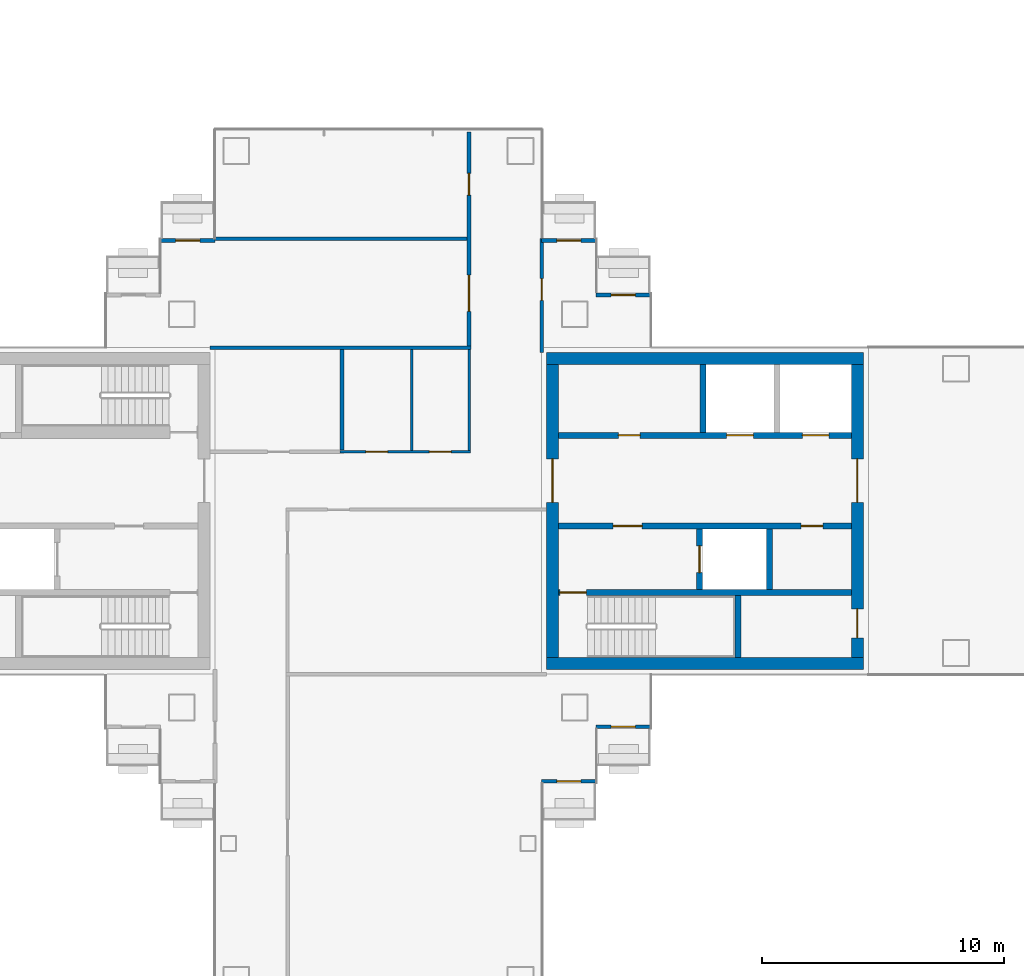
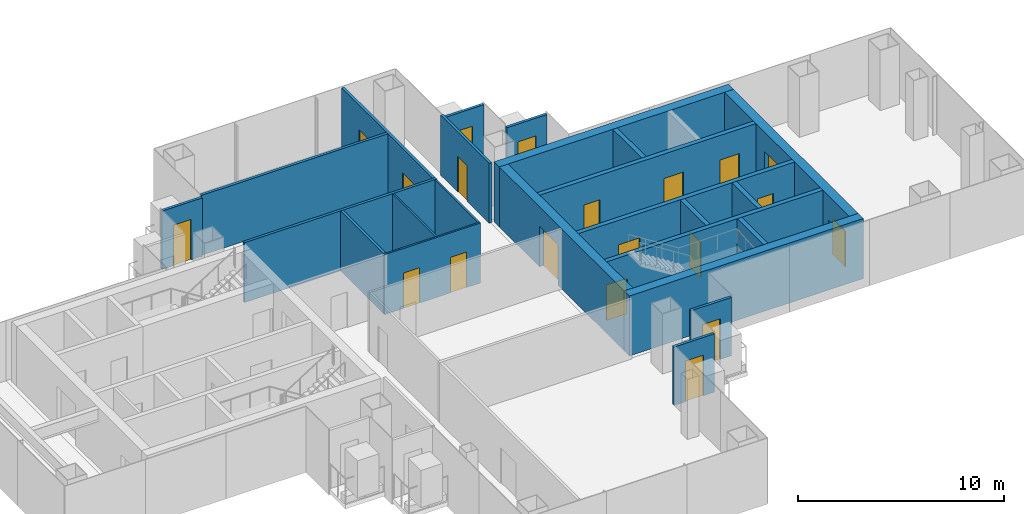
# One storey, part 10 of 16: 24 walls, 20 doors, 20 openings.
"""IFC4 building model written with IfcOpenShell, lengths in metres."""

from ifc_helpers import new_model, si_unit, direction, frame, frame_2d, origin, place, context, subcontext, project, spatial, rectangle, extrude, material, layer, layer_set, type_object, element, fill, save


model = new_model("IFC4")

# Units and contexts
model_context = context("Model", 3, precision=1e-05, world=origin(), true_north=direction((0.0, 1.0)))
body_context = subcontext(model_context, "Body", "Model", "MODEL_VIEW")
ifc_project = project(units=[si_unit("LENGTHUNIT", "METRE"), si_unit("AREAUNIT", "SQUARE_METRE"), si_unit("VOLUMEUNIT", "CUBIC_METRE"), si_unit("PLANEANGLEUNIT", "RADIAN"), si_unit("MASSUNIT", "GRAM", prefix="KILO")], contexts=[model_context])

# Site, building, storey
site_placement = place(None, origin())
site = spatial("IfcSite", under=ifc_project, at=site_placement, CompositionType="ELEMENT")
building_placement = place(site_placement, origin())
building = spatial("IfcBuilding", under=site, at=building_placement, Name="Shamsa Quay Exchange Towers", CompositionType="ELEMENT")
storey_placement = place(building_placement, frame((0.0, 0.0, 158.39990234375)))
storey = spatial("IfcBuildingStorey", under=building, at=storey_placement, Name="L37", CompositionType="ELEMENT", Elevation=158.39990234375)

# Wall, opening, door
ifc_material_1 = material(Name="Aluminium EN AW-6063 T6, black anodised, with black enamelled glass infill", Category="aluminium")
ifc_layer_1 = layer(ifc_material_1, 0.14990234375)
ifc_layer_set_1 = layer_set([ifc_layer_1], Name="BALCONY DOOR BAY WALL 150")
wall_type_1 = type_object("IfcWallType", Name="BALCONY DOOR BAY WALL 150", PredefinedType="SOLIDWALL", material=ifc_layer_set_1)
wall_1_placement = place(storey_placement, frame((-24.75, 8.925048828125, 0.0)))
wall_1 = element("IfcWall", 1, at=wall_1_placement, inside=storey, type_object=wall_type_1, Name="Door bay T1-PKEN L37", PredefinedType="SOLIDWALL", context=body_context, shape_type="SweptSolid", body=[
    extrude(rectangle(XDim=2.25, YDim=0.14990234375, at=frame_2d((1.125, 0.0))), origin(), (0.0, 0.0, 1.0), 3.4501953125),
])
opening_1_placement = place(wall_1_placement, frame((0.625, 0.0, 0.0)))
opening_1 = element("IfcOpeningElement", 2, at=opening_1_placement, cuts=wall_1, Name="Opening XD233", PredefinedType="OPENING", context=body_context, shape_type="SweptSolid", body=[
    extrude(rectangle(XDim=1.0, YDim=2.39990234375, at=frame_2d((0.5, 1.199951171875))), frame((0.0, 0.0849609375, 0.0), z_axis=(0.0, -1.0, 0.0), x_axis=(1.0, 0.0, 0.0)), (0.0, 0.0, 1.0), 0.169921875),
])
ifc_material_2 = material(Name="Aluminium EN AW-6063 T6, black anodised, with laminated glass leaf", Category="aluminium")
door_type_1 = type_object("IfcDoorType", Name="BALCONY DOOR 1000x2400", OperationType="SINGLE_SWING_LEFT", PredefinedType="DOOR", material=ifc_material_2)
door_1_placement = place(opening_1_placement, origin())
door_1 = element("IfcDoor", 3, at=door_1_placement, inside=storey, type_object=door_type_1, Name="Balcony door T1-PKEN L37", OperationType="SINGLE_SWING_RIGHT", OverallHeight=2.39990234375, OverallWidth=1.0, PredefinedType="DOOR", context=body_context, shape_type="SweptSolid", body=[
    extrude(rectangle(XDim=1.0, YDim=2.39990234375, at=frame_2d((0.5, 1.199951171875))), frame((0.0, 0.02490234375, 0.0), z_axis=(0.0, -1.0, 0.0), x_axis=(1.0, 0.0, 0.0)), (0.0, 0.0, 1.0), 0.050048828125),
])
fill(opening_1, door_1)

wall_2_placement = place(storey_placement, frame((-27.0, 11.175048828125, 0.0)))
wall_2 = element("IfcWall", 4, at=wall_2_placement, inside=storey, type_object=wall_type_1, Name="Door bay T1-PKEN L37", PredefinedType="SOLIDWALL", context=body_context, shape_type="SweptSolid", body=[
    extrude(rectangle(XDim=2.25, YDim=0.14990234375, at=frame_2d((1.125, 0.0))), origin(), (0.0, 0.0, 1.0), 3.4501953125),
])
opening_2_placement = place(wall_2_placement, frame((0.625, 0.0, 0.0)))
opening_2 = element("IfcOpeningElement", 5, at=opening_2_placement, cuts=wall_2, Name="Opening XD234", PredefinedType="OPENING", context=body_context, shape_type="SweptSolid", body=[
    extrude(rectangle(XDim=1.0, YDim=2.39990234375, at=frame_2d((0.5, 1.199951171875))), frame((0.0, 0.0849609375, 0.0), z_axis=(0.0, -1.0, 0.0), x_axis=(1.0, 0.0, 0.0)), (0.0, 0.0, 1.0), 0.169921875),
])
door_2_placement = place(opening_2_placement, origin())
door_2 = element("IfcDoor", 6, at=door_2_placement, inside=storey, type_object=door_type_1, Name="Balcony door T1-PKEN L37", OperationType="SINGLE_SWING_LEFT", OverallHeight=2.39990234375, OverallWidth=1.0, PredefinedType="DOOR", context=body_context, shape_type="SweptSolid", body=[
    extrude(rectangle(XDim=1.0, YDim=2.39990234375, at=frame_2d((0.5, 1.199951171875))), frame((0.0, 0.02490234375, 0.0), z_axis=(0.0, -1.0, 0.0), x_axis=(1.0, 0.0, 0.0)), (0.0, 0.0, 1.0), 0.050048828125),
])
fill(opening_2, door_2)

wall_3_placement = place(storey_placement, frame((-22.5, -8.925048828125, 0.0), z_axis=(0.0, 0.0, 1.0), x_axis=(-1.0, 0.0, 0.0)))
wall_3 = element("IfcWall", 7, at=wall_3_placement, inside=storey, type_object=wall_type_1, Name="Door bay T1-PKES L37", PredefinedType="SOLIDWALL", context=body_context, shape_type="SweptSolid", body=[
    extrude(rectangle(XDim=2.25, YDim=0.14990234375, at=frame_2d((1.125, 0.0))), origin(), (0.0, 0.0, 1.0), 3.4501953125),
])
opening_3_placement = place(wall_3_placement, frame((0.625, 0.0, 0.0)))
opening_3 = element("IfcOpeningElement", 8, at=opening_3_placement, cuts=wall_3, Name="Opening XD235", PredefinedType="OPENING", context=body_context, shape_type="SweptSolid", body=[
    extrude(rectangle(XDim=1.0, YDim=2.39990234375, at=frame_2d((0.5, 1.199951171875))), frame((0.0, 0.0849609375, 0.0), z_axis=(0.0, -1.0, 0.0), x_axis=(1.0, 0.0, 0.0)), (0.0, 0.0, 1.0), 0.169921875),
])
door_3_placement = place(opening_3_placement, origin())
door_3 = element("IfcDoor", 9, at=door_3_placement, inside=storey, type_object=door_type_1, Name="Balcony door T1-PKES L37", OperationType="SINGLE_SWING_RIGHT", OverallHeight=2.39990234375, OverallWidth=1.0, PredefinedType="DOOR", context=body_context, shape_type="SweptSolid", body=[
    extrude(rectangle(XDim=1.0, YDim=2.39990234375, at=frame_2d((0.5, 1.199951171875))), frame((0.0, 0.02490234375, 0.0), z_axis=(0.0, -1.0, 0.0), x_axis=(1.0, 0.0, 0.0)), (0.0, 0.0, 1.0), 0.050048828125),
])
fill(opening_3, door_3)

wall_4_placement = place(storey_placement, frame((-24.75, -11.175048828125, 0.0), z_axis=(0.0, 0.0, 1.0), x_axis=(-1.0, 0.0, 0.0)))
wall_4 = element("IfcWall", 10, at=wall_4_placement, inside=storey, type_object=wall_type_1, Name="Door bay T1-PKES L37", PredefinedType="SOLIDWALL", context=body_context, shape_type="SweptSolid", body=[
    extrude(rectangle(XDim=2.25, YDim=0.14990234375, at=frame_2d((1.125, 0.0))), origin(), (0.0, 0.0, 1.0), 3.4501953125),
])
opening_4_placement = place(wall_4_placement, frame((0.625, 0.0, 0.0)))
opening_4 = element("IfcOpeningElement", 11, at=opening_4_placement, cuts=wall_4, Name="Opening XD236", PredefinedType="OPENING", context=body_context, shape_type="SweptSolid", body=[
    extrude(rectangle(XDim=1.0, YDim=2.39990234375, at=frame_2d((0.5, 1.199951171875))), frame((0.0, 0.0849609375, 0.0), z_axis=(0.0, -1.0, 0.0), x_axis=(1.0, 0.0, 0.0)), (0.0, 0.0, 1.0), 0.169921875),
])
door_4_placement = place(opening_4_placement, origin())
door_4 = element("IfcDoor", 12, at=door_4_placement, inside=storey, type_object=door_type_1, Name="Balcony door T1-PKES L37", OperationType="SINGLE_SWING_LEFT", OverallHeight=2.39990234375, OverallWidth=1.0, PredefinedType="DOOR", context=body_context, shape_type="SweptSolid", body=[
    extrude(rectangle(XDim=1.0, YDim=2.39990234375, at=frame_2d((0.5, 1.199951171875))), frame((0.0, 0.02490234375, 0.0), z_axis=(0.0, -1.0, 0.0), x_axis=(1.0, 0.0, 0.0)), (0.0, 0.0, 1.0), 0.050048828125),
])
fill(opening_4, door_4)

wall_5_placement = place(storey_placement, frame((-42.75, 11.175048828125, 0.0)))
wall_5 = element("IfcWall", 13, at=wall_5_placement, inside=storey, type_object=wall_type_1, Name="Door bay T1-PKWN L37", PredefinedType="SOLIDWALL", context=body_context, shape_type="SweptSolid", body=[
    extrude(rectangle(XDim=2.25, YDim=0.14990234375, at=frame_2d((1.125, 0.0))), origin(), (0.0, 0.0, 1.0), 3.4501953125),
])
opening_5_placement = place(wall_5_placement, frame((0.625, 0.0, 0.0)))
opening_5 = element("IfcOpeningElement", 14, at=opening_5_placement, cuts=wall_5, Name="Opening XD237", PredefinedType="OPENING", context=body_context, shape_type="SweptSolid", body=[
    extrude(rectangle(XDim=1.0, YDim=2.39990234375, at=frame_2d((0.5, 1.199951171875))), frame((0.0, 0.0849609375, 0.0), z_axis=(0.0, -1.0, 0.0), x_axis=(1.0, 0.0, 0.0)), (0.0, 0.0, 1.0), 0.169921875),
])
door_5_placement = place(opening_5_placement, origin())
door_5 = element("IfcDoor", 15, at=door_5_placement, inside=storey, type_object=door_type_1, Name="Balcony door T1-PKWN L37", OperationType="SINGLE_SWING_LEFT", OverallHeight=2.39990234375, OverallWidth=1.0, PredefinedType="DOOR", context=body_context, shape_type="SweptSolid", body=[
    extrude(rectangle(XDim=1.0, YDim=2.39990234375, at=frame_2d((0.5, 1.199951171875))), frame((0.0, 0.02490234375, 0.0), z_axis=(0.0, -1.0, 0.0), x_axis=(1.0, 0.0, 0.0)), (0.0, 0.0, 1.0), 0.050048828125),
])
fill(opening_5, door_5)

# Walls
ifc_material_3 = material(Name="Concrete C60/75", Category="concrete")
ifc_layer_2 = layer(ifc_material_3, 0.5)
ifc_layer_set_2 = layer_set([ifc_layer_2], Name="CORE WALL 500 C60/75")
wall_type_2 = type_object("IfcWallType", Name="CORE WALL 500 C60/75", PredefinedType="SHEAR", material=ifc_layer_set_2)
for number, where, name in (
    (16, (-26.800048828125, -6.300048828125, 0.0), "Core wall T1A-R17-PS"),
    (17, (-26.800048828125, 6.300048828125, 0.0), "Core wall T1A-R17-PN"),
):
    element("IfcWall", number, at=place(storey_placement, frame(where)), inside=storey, type_object=wall_type_2, Name=name, PredefinedType="SHEAR", context=body_context, shape_type="SweptSolid", body=[
        extrude(rectangle(XDim=13.10009765625, YDim=0.5, at=frame_2d((6.550048828125, 0.0))), origin(), (0.0, 0.0, 1.0), 3.550048828125),
    ])

# Wall, opening, door
wall_6_placement = place(storey_placement, frame((-26.550048828125, 6.050048828125, 0.0), z_axis=(0.0, 0.0, 1.0), x_axis=(0.0, -1.0, 0.0)))
wall_6 = element("IfcWall", 18, at=wall_6_placement, inside=storey, type_object=wall_type_2, Name="Core wall T1A-R17-PF", PredefinedType="SHEAR", context=body_context, shape_type="SweptSolid", body=[
    extrude(rectangle(XDim=12.10009765625, YDim=0.5, at=frame_2d((6.050048828125, 0.0))), origin(), (0.0, 0.0, 1.0), 3.550048828125),
])
opening_6_placement = place(wall_6_placement, frame((3.89990234375, 0.0, 0.0)))
opening_6 = element("IfcOpeningElement", 19, at=opening_6_placement, cuts=wall_6, Name="Opening T1A-R17-LBD01", PredefinedType="OPENING", context=body_context, shape_type="SweptSolid", body=[
    extrude(rectangle(XDim=1.800048828125, YDim=2.39990234375, at=frame_2d((0.89990234375, 1.199951171875))), frame((0.0, 0.260009765625, 0.0), z_axis=(0.0, -1.0, 0.0), x_axis=(1.0, 0.0, 0.0)), (0.0, 0.0, 1.0), 0.52001953125),
])
ifc_material_4 = material(Name="Steel, fire rated", Category="steel")
door_type_2 = type_object("IfcDoorType", Name="LIFT LOBBY DOOR PAIR 1800", OperationType="DOUBLE_DOOR_SINGLE_SWING", PredefinedType="DOOR", material=ifc_material_4)
door_6_placement = place(opening_6_placement, origin())
door_6 = element("IfcDoor", 20, at=door_6_placement, inside=storey, type_object=door_type_2, Name="T1A-R17-LBD01", OperationType="DOUBLE_DOOR_SINGLE_SWING", OverallHeight=2.39990234375, OverallWidth=1.800048828125, PredefinedType="DOOR", context=body_context, shape_type="SweptSolid", body=[
    extrude(rectangle(XDim=1.800048828125, YDim=2.39990234375, at=frame_2d((0.89990234375, 1.199951171875))), frame((0.0, 0.02490234375, 0.0), z_axis=(0.0, -1.0, 0.0), x_axis=(1.0, 0.0, 0.0)), (0.0, 0.0, 1.0), 0.050048828125),
])
fill(opening_6, door_6)

# Wall, openings, doors
wall_7_placement = place(storey_placement, frame((-13.949951171875, 6.050048828125, 0.0), z_axis=(0.0, 0.0, 1.0), x_axis=(0.0, -1.0, 0.0)))
wall_7 = element("IfcWall", 21, at=wall_7_placement, inside=storey, type_object=wall_type_2, Name="Core wall T1A-R17-PB", PredefinedType="SHEAR", context=body_context, shape_type="SweptSolid", body=[
    extrude(rectangle(XDim=12.10009765625, YDim=0.5, at=frame_2d((6.050048828125, 0.0))), origin(), (0.0, 0.0, 1.0), 3.550048828125),
])
opening_7_placement = place(wall_7_placement, frame((10.10009765625, 0.0, 0.0)))
opening_7 = element("IfcOpeningElement", 22, at=opening_7_placement, cuts=wall_7, Name="Opening T1A-R17-RD02", PredefinedType="OPENING", context=body_context, shape_type="SweptSolid", body=[
    extrude(rectangle(XDim=1.199951171875, YDim=2.10009765625, at=frame_2d((0.60009765625, 1.050048828125))), frame((0.0, 0.260009765625, 0.0), z_axis=(0.0, -1.0, 0.0), x_axis=(1.0, 0.0, 0.0)), (0.0, 0.0, 1.0), 0.52001953125),
])
opening_8_placement = place(wall_7_placement, frame((3.89990234375, 0.0, 0.0)))
opening_8 = element("IfcOpeningElement", 23, at=opening_8_placement, cuts=wall_7, Name="Opening T1A-R17-LBD03", PredefinedType="OPENING", context=body_context, shape_type="SweptSolid", body=[
    extrude(rectangle(XDim=1.800048828125, YDim=2.39990234375, at=frame_2d((0.89990234375, 1.199951171875))), frame((0.0, 0.260009765625, 0.0), z_axis=(0.0, -1.0, 0.0), x_axis=(1.0, 0.0, 0.0)), (0.0, 0.0, 1.0), 0.52001953125),
])
door_7_placement = place(opening_8_placement, origin())
door_7 = element("IfcDoor", 24, at=door_7_placement, inside=storey, type_object=door_type_2, Name="T1A-R17-LBD03", OperationType="DOUBLE_DOOR_SINGLE_SWING", OverallHeight=2.39990234375, OverallWidth=1.800048828125, PredefinedType="DOOR", context=body_context, shape_type="SweptSolid", body=[
    extrude(rectangle(XDim=1.800048828125, YDim=2.39990234375, at=frame_2d((0.89990234375, 1.199951171875))), frame((0.0, 0.02490234375, 0.0), z_axis=(0.0, -1.0, 0.0), x_axis=(1.0, 0.0, 0.0)), (0.0, 0.0, 1.0), 0.050048828125),
])
fill(opening_8, door_7)
door_type_3 = type_object("IfcDoorType", Name="RISER ACCESS DOOR 1200", OperationType="SINGLE_SWING_LEFT", PredefinedType="DOOR", material=ifc_material_4)
door_8_placement = place(opening_7_placement, origin())
door_8 = element("IfcDoor", 25, at=door_8_placement, inside=storey, type_object=door_type_3, Name="T1A-R17-RD02", OperationType="SINGLE_SWING_RIGHT", OverallHeight=2.10009765625, OverallWidth=1.199951171875, PredefinedType="DOOR", context=body_context, shape_type="SweptSolid", body=[
    extrude(rectangle(XDim=1.199951171875, YDim=2.10009765625, at=frame_2d((0.60009765625, 1.050048828125))), frame((0.0, 0.02490234375, 0.0), z_axis=(0.0, -1.0, 0.0), x_axis=(1.0, 0.0, 0.0)), (0.0, 0.0, 1.0), 0.050048828125),
])
fill(opening_7, door_8)

ifc_material_5 = material(Name="Gypsum board partition on metal studs")
ifc_layer_3 = layer(ifc_material_5, 0.10009765625)
ifc_layer_set_3 = layer_set([ifc_layer_3], Name="Partition 100 mm NOT RATED")
wall_type_3 = type_object("IfcWallType", Name="Partition 100 mm NOT RATED", PredefinedType="PARTITIONING", material=ifc_layer_set_3)
wall_8_placement = place(storey_placement, frame((-35.324951171875, 2.4501953125, 0.0)))
wall_8 = element("IfcWall", 26, at=wall_8_placement, inside=storey, type_object=wall_type_3, Name="Partition T1-R17-W03", PredefinedType="PARTITIONING", context=body_context, shape_type="SweptSolid", body=[
    extrude(rectangle(XDim=5.375, YDim=0.10009765625, at=frame_2d((2.6875, 0.0))), origin(), (0.0, 0.0, 1.0), 3.550048828125),
])
opening_9_placement = place(wall_8_placement, frame((1.0625, 0.0, 0.0)))
opening_9 = element("IfcOpeningElement", 27, at=opening_9_placement, cuts=wall_8, Name="Opening T1-R17-D06", PredefinedType="OPENING", context=body_context, shape_type="SweptSolid", body=[
    extrude(rectangle(XDim=0.89990234375, YDim=2.10009765625, at=frame_2d((0.449951171875, 1.050048828125))), frame((0.0, 0.06005859375, 0.0), z_axis=(0.0, -1.0, 0.0), x_axis=(1.0, 0.0, 0.0)), (0.0, 0.0, 1.0), 0.1201171875),
])
opening_10_placement = place(wall_8_placement, frame((3.6875, 0.0, 0.0)))
opening_10 = element("IfcOpeningElement", 28, at=opening_10_placement, cuts=wall_8, Name="Opening T1-R17-D07", PredefinedType="OPENING", context=body_context, shape_type="SweptSolid", body=[
    extrude(rectangle(XDim=0.89990234375, YDim=2.10009765625, at=frame_2d((0.449951171875, 1.050048828125))), frame((0.0, 0.06005859375, 0.0), z_axis=(0.0, -1.0, 0.0), x_axis=(1.0, 0.0, 0.0)), (0.0, 0.0, 1.0), 0.1201171875),
])
ifc_material_6 = material(Name="Timber door leaf in a metal frame", Category="wood")
door_type_4 = type_object("IfcDoorType", Name="Door 900x2100 NOT RATED", OperationType="NOTDEFINED", PredefinedType="DOOR", material=ifc_material_6)
door_9_placement = place(opening_9_placement, origin())
door_9 = element("IfcDoor", 29, at=door_9_placement, inside=storey, type_object=door_type_4, Name="Door T1-R17-D06", OperationType="SINGLE_SWING_LEFT", OverallHeight=2.10009765625, OverallWidth=0.89990234375, PredefinedType="DOOR", context=body_context, shape_type="SweptSolid", body=[
    extrude(rectangle(XDim=0.89990234375, YDim=2.10009765625, at=frame_2d((0.449951171875, 1.050048828125))), frame((0.0, 0.02490234375, 0.0), z_axis=(0.0, -1.0, 0.0), x_axis=(1.0, 0.0, 0.0)), (0.0, 0.0, 1.0), 0.050048828125),
])
fill(opening_9, door_9)
door_10_placement = place(opening_10_placement, origin())
door_10 = element("IfcDoor", 30, at=door_10_placement, inside=storey, type_object=door_type_4, Name="Door T1-R17-D07", OperationType="SINGLE_SWING_LEFT", OverallHeight=2.10009765625, OverallWidth=0.89990234375, PredefinedType="DOOR", context=body_context, shape_type="SweptSolid", body=[
    extrude(rectangle(XDim=0.89990234375, YDim=2.10009765625, at=frame_2d((0.449951171875, 1.050048828125))), frame((0.0, 0.02490234375, 0.0), z_axis=(0.0, -1.0, 0.0), x_axis=(1.0, 0.0, 0.0)), (0.0, 0.0, 1.0), 0.050048828125),
])
fill(opening_10, door_10)

# Walls
for number, where, z_axis, x_axis, name in (
    (31, (-30.0, 2.500244140625, 0.0), (0.0, 0.0, 1.0), (0.0, 1.0, 0.0), "Partition T1-R17-W04"),
    (32, (-32.375, 2.500244140625, 0.0), (0.0, 0.0, 1.0), (0.0, 1.0, 0.0), "Partition T1-R17-W13"),
):
    element("IfcWall", number, at=place(storey_placement, frame(where, z_axis=z_axis, x_axis=x_axis)), inside=storey, type_object=wall_type_3, Name=name, PredefinedType="PARTITIONING", context=body_context, shape_type="SweptSolid", body=[
        extrude(rectangle(XDim=4.1748046875, YDim=0.10009765625, at=frame_2d((2.08740234375, 0.0))), origin(), (0.0, 0.0, 1.0), 3.550048828125),
    ])

# Wall, openings, doors
ifc_layer_4 = layer(ifc_material_5, 0.14990234375)
ifc_layer_set_4 = layer_set([ifc_layer_4], Name="Partition 150 mm EI 60")
wall_type_4 = type_object("IfcWallType", Name="Partition 150 mm EI 60", PredefinedType="PARTITIONING", material=ifc_layer_set_4)
wall_9_placement = place(storey_placement, frame((-30.0, 6.824951171875, 0.0), z_axis=(0.0, 0.0, 1.0), x_axis=(0.0, 1.0, 0.0)))
wall_9 = element("IfcWall", 33, at=wall_9_placement, inside=storey, type_object=wall_type_4, Name="Partition T1-R17-W01", PredefinedType="PARTITIONING", context=body_context, shape_type="SweptSolid", body=[
    extrude(rectangle(XDim=8.830078125, YDim=0.14990234375, at=frame_2d((4.4150390625, 0.0))), origin(), (0.0, 0.0, 1.0), 3.550048828125),
])
opening_11_placement = place(wall_9_placement, frame((1.425048828125, 0.0, 0.0)))
opening_11 = element("IfcOpeningElement", 34, at=opening_11_placement, cuts=wall_9, Name="Opening T1-R17-D08", PredefinedType="OPENING", context=body_context, shape_type="SweptSolid", body=[
    extrude(rectangle(XDim=1.5, YDim=2.10009765625, at=frame_2d((0.75, 1.050048828125))), frame((0.0, 0.0849609375, 0.0), z_axis=(0.0, -1.0, 0.0), x_axis=(1.0, 0.0, 0.0)), (0.0, 0.0, 1.0), 0.169921875),
])
opening_12_placement = place(wall_9_placement, frame((6.22509765625, 0.0, 0.0)))
opening_12 = element("IfcOpeningElement", 35, at=opening_12_placement, cuts=wall_9, Name="Opening T1-R17-D09", PredefinedType="OPENING", context=body_context, shape_type="SweptSolid", body=[
    extrude(rectangle(XDim=0.89990234375, YDim=2.10009765625, at=frame_2d((0.449951171875, 1.050048828125))), frame((0.0, 0.0849609375, 0.0), z_axis=(0.0, -1.0, 0.0), x_axis=(1.0, 0.0, 0.0)), (0.0, 0.0, 1.0), 0.169921875),
])
door_type_5 = type_object("IfcDoorType", Name="Door 1500x2100 FD30S pair", OperationType="NOTDEFINED", PredefinedType="DOOR", material=ifc_material_6)
door_11_placement = place(opening_11_placement, origin())
door_11 = element("IfcDoor", 36, at=door_11_placement, inside=storey, type_object=door_type_5, Name="Door T1-R17-D08", OperationType="DOUBLE_DOOR_SINGLE_SWING", OverallHeight=2.10009765625, OverallWidth=1.5, PredefinedType="DOOR", context=body_context, shape_type="SweptSolid", body=[
    extrude(rectangle(XDim=1.5, YDim=2.10009765625, at=frame_2d((0.75, 1.050048828125))), frame((0.0, 0.02490234375, 0.0), z_axis=(0.0, -1.0, 0.0), x_axis=(1.0, 0.0, 0.0)), (0.0, 0.0, 1.0), 0.050048828125),
])
fill(opening_11, door_11)
door_type_6 = type_object("IfcDoorType", Name="Door 900x2100 FD30S", OperationType="NOTDEFINED", PredefinedType="DOOR", material=ifc_material_6)
door_12_placement = place(opening_12_placement, origin())
door_12 = element("IfcDoor", 37, at=door_12_placement, inside=storey, type_object=door_type_6, Name="Door T1-R17-D09", OperationType="SINGLE_SWING_RIGHT", OverallHeight=2.10009765625, OverallWidth=0.89990234375, PredefinedType="DOOR", context=body_context, shape_type="SweptSolid", body=[
    extrude(rectangle(XDim=0.89990234375, YDim=2.10009765625, at=frame_2d((0.449951171875, 1.050048828125))), frame((0.0, 0.02490234375, 0.0), z_axis=(0.0, -1.0, 0.0), x_axis=(1.0, 0.0, 0.0)), (0.0, 0.0, 1.0), 0.050048828125),
])
fill(opening_12, door_12)

# Wall, opening, door
wall_10_placement = place(storey_placement, frame((-27.0, 11.25, 0.0), z_axis=(0.0, 0.0, 1.0), x_axis=(0.0, -1.0, 0.0)))
wall_10 = element("IfcWall", 38, at=wall_10_placement, inside=storey, type_object=wall_type_4, Name="Partition T1-R17-W09", PredefinedType="PARTITIONING", context=body_context, shape_type="SweptSolid", body=[
    extrude(rectangle(XDim=4.699951171875, YDim=0.14990234375, at=frame_2d((2.35009765625, 0.0))), origin(), (0.0, 0.0, 1.0), 3.550048828125),
])
opening_13_placement = place(wall_10_placement, frame((1.64990234375, 0.0, 0.0)))
opening_13 = element("IfcOpeningElement", 39, at=opening_13_placement, cuts=wall_10, Name="Opening T1-R17-D10", PredefinedType="OPENING", context=body_context, shape_type="SweptSolid", body=[
    extrude(rectangle(XDim=0.89990234375, YDim=2.10009765625, at=frame_2d((0.449951171875, 1.050048828125))), frame((0.0, 0.0849609375, 0.0), z_axis=(0.0, -1.0, 0.0), x_axis=(1.0, 0.0, 0.0)), (0.0, 0.0, 1.0), 0.169921875),
])
door_13_placement = place(opening_13_placement, origin())
door_13 = element("IfcDoor", 40, at=door_13_placement, inside=storey, type_object=door_type_6, Name="Door T1-R17-D10", OperationType="SINGLE_SWING_LEFT", OverallHeight=2.10009765625, OverallWidth=0.89990234375, PredefinedType="DOOR", context=body_context, shape_type="SweptSolid", body=[
    extrude(rectangle(XDim=0.89990234375, YDim=2.10009765625, at=frame_2d((0.449951171875, 1.050048828125))), frame((0.0, 0.02490234375, 0.0), z_axis=(0.0, -1.0, 0.0), x_axis=(1.0, 0.0, 0.0)), (0.0, 0.0, 1.0), 0.050048828125),
])
fill(opening_13, door_13)

# Walls
wall_11_placement = place(storey_placement, frame((-30.074951171875, 11.25, 0.0), z_axis=(0.0, 0.0, 1.0), x_axis=(-1.0, 0.0, 0.0)))
element("IfcWall", 41, at=wall_11_placement, inside=storey, type_object=wall_type_4, Name="Partition T1-R17-W10", PredefinedType="PARTITIONING", context=body_context, shape_type="SweptSolid", body=[
    extrude(rectangle(XDim=10.425048828125, YDim=0.14990234375, at=frame_2d((5.21240234375, 0.0))), origin(), (0.0, 0.0, 1.0), 3.550048828125),
])
wall_12_placement = place(storey_placement, frame((-40.699951171875, 6.75, 0.0)))
element("IfcWall", 42, at=wall_12_placement, inside=storey, type_object=wall_type_4, Name="Partition T1-R17-W11", PredefinedType="PARTITIONING", context=body_context, shape_type="SweptSolid", body=[
    extrude(rectangle(XDim=10.77490234375, YDim=0.14990234375, at=frame_2d((5.387451171875, 0.0))), origin(), (0.0, 0.0, 1.0), 3.550048828125),
])
wall_13_placement = place(storey_placement, frame((-35.25, 2.525146484375, 0.0), z_axis=(0.0, 0.0, 1.0), x_axis=(0.0, 1.0, 0.0)))
element("IfcWall", 43, at=wall_13_placement, inside=storey, type_object=wall_type_4, Name="Partition T1-R17-W12", PredefinedType="PARTITIONING", context=body_context, shape_type="SweptSolid", body=[
    extrude(rectangle(XDim=4.14990234375, YDim=0.14990234375, at=frame_2d((2.074951171875, 0.0))), origin(), (0.0, 0.0, 1.0), 3.550048828125),
])

# Wall, opening, door
ifc_material_7 = material(Name="Concrete C50/60", Category="concrete")
ifc_layer_5 = layer(ifc_material_7, 0.25)
ifc_layer_set_5 = layer_set([ifc_layer_5], Name="SHAFT WALL 250 C50/60")
wall_type_5 = type_object("IfcWallType", Name="SHAFT WALL 250 C50/60", PredefinedType="SHEAR", material=ifc_layer_set_5)
wall_14_placement = place(storey_placement, frame((-14.199951171875, -3.375, 0.0), z_axis=(0.0, 0.0, 1.0), x_axis=(-1.0, 0.0, 0.0)))
wall_14 = element("IfcWall", 44, at=wall_14_placement, inside=storey, type_object=wall_type_5, Name="Shaft wall T1A-R17-STL", PredefinedType="SHEAR", context=body_context, shape_type="SweptSolid", body=[
    extrude(rectangle(XDim=12.10009765625, YDim=0.25, at=frame_2d((6.050048828125, 0.0))), origin(), (0.0, 0.0, 1.0), 3.550048828125),
])
opening_14_placement = place(wall_14_placement, frame((10.949951171875, 0.0, 0.0)))
opening_14 = element("IfcOpeningElement", 45, at=opening_14_placement, cuts=wall_14, Name="Opening T1A-R17-SD04", PredefinedType="OPENING", context=body_context, shape_type="SweptSolid", body=[
    extrude(rectangle(XDim=1.10009765625, YDim=2.10009765625, at=frame_2d((0.550048828125, 1.050048828125))), frame((0.0, 0.135009765625, 0.0), z_axis=(0.0, -1.0, 0.0), x_axis=(1.0, 0.0, 0.0)), (0.0, 0.0, 1.0), 0.27001953125),
])
door_type_7 = type_object("IfcDoorType", Name="STAIR DOOR 1100", OperationType="SINGLE_SWING_LEFT", PredefinedType="DOOR", material=ifc_material_4)
door_14_placement = place(opening_14_placement, origin())
door_14 = element("IfcDoor", 46, at=door_14_placement, inside=storey, type_object=door_type_7, Name="T1A-R17-SD04", OperationType="SINGLE_SWING_RIGHT", OverallHeight=2.10009765625, OverallWidth=1.10009765625, PredefinedType="DOOR", context=body_context, shape_type="SweptSolid", body=[
    extrude(rectangle(XDim=1.10009765625, YDim=2.10009765625, at=frame_2d((0.550048828125, 1.050048828125))), frame((0.0, 0.02490234375, 0.0), z_axis=(0.0, -1.0, 0.0), x_axis=(1.0, 0.0, 0.0)), (0.0, 0.0, 1.0), 0.050048828125),
])
fill(opening_14, door_14)

# Wall
wall_15_placement = place(storey_placement, frame((-18.875, -6.050048828125, 0.0), z_axis=(0.0, 0.0, 1.0), x_axis=(0.0, 1.0, 0.0)))
element("IfcWall", 47, at=wall_15_placement, inside=storey, type_object=wall_type_5, Name="Shaft wall T1A-R17-STF", PredefinedType="SHEAR", context=body_context, shape_type="SweptSolid", body=[
    extrude(rectangle(XDim=2.550048828125, YDim=0.25, at=frame_2d((1.27490234375, 0.0))), origin(), (0.0, 0.0, 1.0), 3.550048828125),
])

# Wall, openings, doors
wall_16_placement = place(storey_placement, frame((-14.199951171875, -0.625, 0.0), z_axis=(0.0, 0.0, 1.0), x_axis=(-1.0, 0.0, 0.0)))
wall_16 = element("IfcWall", 48, at=wall_16_placement, inside=storey, type_object=wall_type_5, Name="Shaft wall T1A-R17-B", PredefinedType="SHEAR", context=body_context, shape_type="SweptSolid", body=[
    extrude(rectangle(XDim=12.10009765625, YDim=0.25, at=frame_2d((6.050048828125, 0.0))), origin(), (0.0, 0.0, 1.0), 3.550048828125),
])
opening_15_placement = place(wall_16_placement, frame((8.64990234375, 0.0, 0.0)))
opening_15 = element("IfcOpeningElement", 49, at=opening_15_placement, cuts=wall_16, Name="Opening T1A-R17-FD05", PredefinedType="OPENING", context=body_context, shape_type="SweptSolid", body=[
    extrude(rectangle(XDim=1.199951171875, YDim=2.10009765625, at=frame_2d((0.60009765625, 1.050048828125))), frame((0.0, 0.135009765625, 0.0), z_axis=(0.0, -1.0, 0.0), x_axis=(1.0, 0.0, 0.0)), (0.0, 0.0, 1.0), 0.27001953125),
])
opening_16_placement = place(wall_16_placement, frame((1.175048828125, 0.0, 0.0)))
opening_16 = element("IfcOpeningElement", 50, at=opening_16_placement, cuts=wall_16, Name="Opening T1A-R17-SV06", PredefinedType="OPENING", context=body_context, shape_type="SweptSolid", body=[
    extrude(rectangle(XDim=0.89990234375, YDim=2.10009765625, at=frame_2d((0.449951171875, 1.050048828125))), frame((0.0, 0.135009765625, 0.0), z_axis=(0.0, -1.0, 0.0), x_axis=(1.0, 0.0, 0.0)), (0.0, 0.0, 1.0), 0.27001953125),
])
door_type_8 = type_object("IfcDoorType", Name="FIRE SERVICE LOBBY DOOR 1200", OperationType="SINGLE_SWING_LEFT", PredefinedType="DOOR", material=ifc_material_4)
door_15_placement = place(opening_15_placement, origin())
door_15 = element("IfcDoor", 51, at=door_15_placement, inside=storey, type_object=door_type_8, Name="T1A-R17-FD05", OperationType="SINGLE_SWING_RIGHT", OverallHeight=2.10009765625, OverallWidth=1.199951171875, PredefinedType="DOOR", context=body_context, shape_type="SweptSolid", body=[
    extrude(rectangle(XDim=1.199951171875, YDim=2.10009765625, at=frame_2d((0.60009765625, 1.050048828125))), frame((0.0, 0.02490234375, 0.0), z_axis=(0.0, -1.0, 0.0), x_axis=(1.0, 0.0, 0.0)), (0.0, 0.0, 1.0), 0.050048828125),
])
fill(opening_15, door_15)
door_type_9 = type_object("IfcDoorType", Name="SERVICE ROOM DOOR 900", OperationType="SINGLE_SWING_LEFT", PredefinedType="DOOR", material=ifc_material_4)
door_16_placement = place(opening_16_placement, origin())
door_16 = element("IfcDoor", 52, at=door_16_placement, inside=storey, type_object=door_type_9, Name="T1A-R17-SV06", OperationType="SINGLE_SWING_LEFT", OverallHeight=2.10009765625, OverallWidth=0.89990234375, PredefinedType="DOOR", context=body_context, shape_type="SweptSolid", body=[
    extrude(rectangle(XDim=0.89990234375, YDim=2.10009765625, at=frame_2d((0.449951171875, 1.050048828125))), frame((0.0, 0.02490234375, 0.0), z_axis=(0.0, -1.0, 0.0), x_axis=(1.0, 0.0, 0.0)), (0.0, 0.0, 1.0), 0.050048828125),
])
fill(opening_16, door_16)

# Wall, opening, door
wall_17_placement = place(storey_placement, frame((-20.47509765625, -3.25, 0.0), z_axis=(0.0, 0.0, 1.0), x_axis=(0.0, 1.0, 0.0)))
wall_17 = element("IfcWall", 53, at=wall_17_placement, inside=storey, type_object=wall_type_5, Name="Shaft wall T1A-R17-FFF", PredefinedType="SHEAR", context=body_context, shape_type="SweptSolid", body=[
    extrude(rectangle(XDim=2.5, YDim=0.25, at=frame_2d((1.25, 0.0))), origin(), (0.0, 0.0, 1.0), 3.550048828125),
])
opening_17_placement = place(wall_17_placement, frame((0.699951171875, 0.0, 0.0)))
opening_17 = element("IfcOpeningElement", 54, at=opening_17_placement, cuts=wall_17, Name="Opening T1A-R17-LDF07", PredefinedType="OPENING", context=body_context, shape_type="SweptSolid", body=[
    extrude(rectangle(XDim=1.10009765625, YDim=2.10009765625, at=frame_2d((0.550048828125, 1.050048828125))), frame((0.0, 0.135009765625, 0.0), z_axis=(0.0, -1.0, 0.0), x_axis=(1.0, 0.0, 0.0)), (0.0, 0.0, 1.0), 0.27001953125),
])
door_type_10 = type_object("IfcDoorType", Name="FIRE SERVICE LANDING DOOR 1100", OperationType="SLIDING_TO_LEFT", PredefinedType="DOOR", material=ifc_material_4)
door_17_placement = place(opening_17_placement, origin())
door_17 = element("IfcDoor", 55, at=door_17_placement, inside=storey, type_object=door_type_10, Name="T1A-R17-LDF07", OperationType="SLIDING_TO_LEFT", OverallHeight=2.10009765625, OverallWidth=1.10009765625, PredefinedType="DOOR", context=body_context, shape_type="SweptSolid", body=[
    extrude(rectangle(XDim=1.10009765625, YDim=2.10009765625, at=frame_2d((0.550048828125, 1.050048828125))), frame((0.0, 0.02490234375, 0.0), z_axis=(0.0, -1.0, 0.0), x_axis=(1.0, 0.0, 0.0)), (0.0, 0.0, 1.0), 0.050048828125),
])
fill(opening_17, door_17)

# Wall
wall_18_placement = place(storey_placement, frame((-17.574951171875, -3.25, 0.0), z_axis=(0.0, 0.0, 1.0), x_axis=(0.0, 1.0, 0.0)))
element("IfcWall", 56, at=wall_18_placement, inside=storey, type_object=wall_type_5, Name="Shaft wall T1A-R17-FFB", PredefinedType="SHEAR", context=body_context, shape_type="SweptSolid", body=[
    extrude(rectangle(XDim=2.5, YDim=0.25, at=frame_2d((1.25, 0.0))), origin(), (0.0, 0.0, 1.0), 3.550048828125),
])

# Wall, openings, doors
wall_19_placement = place(storey_placement, frame((-26.300048828125, 3.125, 0.0)))
wall_19 = element("IfcWall", 57, at=wall_19_placement, inside=storey, type_object=wall_type_5, Name="Shaft wall T1A-R17-N", PredefinedType="SHEAR", context=body_context, shape_type="SweptSolid", body=[
    extrude(rectangle(XDim=12.10009765625, YDim=0.25, at=frame_2d((6.050048828125, 0.0))), origin(), (0.0, 0.0, 1.0), 3.550048828125),
])
opening_18_placement = place(wall_19_placement, frame((6.949951171875, 0.0, 0.0)))
opening_18 = element("IfcOpeningElement", 58, at=opening_18_placement, cuts=wall_19, Name="Opening T1A-R17-LD08", PredefinedType="OPENING", context=body_context, shape_type="SweptSolid", body=[
    extrude(rectangle(XDim=1.10009765625, YDim=2.10009765625, at=frame_2d((0.550048828125, 1.050048828125))), frame((0.0, 0.135009765625, 0.0), z_axis=(0.0, -1.0, 0.0), x_axis=(1.0, 0.0, 0.0)), (0.0, 0.0, 1.0), 0.27001953125),
])
opening_19_placement = place(wall_19_placement, frame((10.074951171875, 0.0, 0.0)))
opening_19 = element("IfcOpeningElement", 59, at=opening_19_placement, cuts=wall_19, Name="Opening T1A-R17-LD09", PredefinedType="OPENING", context=body_context, shape_type="SweptSolid", body=[
    extrude(rectangle(XDim=1.10009765625, YDim=2.10009765625, at=frame_2d((0.550048828125, 1.050048828125))), frame((0.0, 0.135009765625, 0.0), z_axis=(0.0, -1.0, 0.0), x_axis=(1.0, 0.0, 0.0)), (0.0, 0.0, 1.0), 0.27001953125),
])
opening_20_placement = place(wall_19_placement, frame((2.47509765625, 0.0, 0.0)))
opening_20 = element("IfcOpeningElement", 60, at=opening_20_placement, cuts=wall_19, Name="Opening T1A-R17-SV10", PredefinedType="OPENING", context=body_context, shape_type="SweptSolid", body=[
    extrude(rectangle(XDim=0.89990234375, YDim=2.10009765625, at=frame_2d((0.449951171875, 1.050048828125))), frame((0.0, 0.135009765625, 0.0), z_axis=(0.0, -1.0, 0.0), x_axis=(1.0, 0.0, 0.0)), (0.0, 0.0, 1.0), 0.27001953125),
])
door_type_11 = type_object("IfcDoorType", Name="LANDING DOOR 1100", OperationType="SLIDING_TO_LEFT", PredefinedType="DOOR", material=ifc_material_4)
door_18_placement = place(opening_18_placement, origin())
door_18 = element("IfcDoor", 61, at=door_18_placement, inside=storey, type_object=door_type_11, Name="T1A-R17-LD08", OperationType="SLIDING_TO_LEFT", OverallHeight=2.10009765625, OverallWidth=1.10009765625, PredefinedType="DOOR", context=body_context, shape_type="SweptSolid", body=[
    extrude(rectangle(XDim=1.10009765625, YDim=2.10009765625, at=frame_2d((0.550048828125, 1.050048828125))), frame((0.0, 0.02490234375, 0.0), z_axis=(0.0, -1.0, 0.0), x_axis=(1.0, 0.0, 0.0)), (0.0, 0.0, 1.0), 0.050048828125),
])
fill(opening_18, door_18)
door_19_placement = place(opening_19_placement, origin())
door_19 = element("IfcDoor", 62, at=door_19_placement, inside=storey, type_object=door_type_11, Name="T1A-R17-LD09", OperationType="SLIDING_TO_LEFT", OverallHeight=2.10009765625, OverallWidth=1.10009765625, PredefinedType="DOOR", context=body_context, shape_type="SweptSolid", body=[
    extrude(rectangle(XDim=1.10009765625, YDim=2.10009765625, at=frame_2d((0.550048828125, 1.050048828125))), frame((0.0, 0.02490234375, 0.0), z_axis=(0.0, -1.0, 0.0), x_axis=(1.0, 0.0, 0.0)), (0.0, 0.0, 1.0), 0.050048828125),
])
fill(opening_19, door_19)
door_20_placement = place(opening_20_placement, origin())
door_20 = element("IfcDoor", 63, at=door_20_placement, inside=storey, type_object=door_type_9, Name="T1A-R17-SV10", OperationType="SINGLE_SWING_LEFT", OverallHeight=2.10009765625, OverallWidth=0.89990234375, PredefinedType="DOOR", context=body_context, shape_type="SweptSolid", body=[
    extrude(rectangle(XDim=0.89990234375, YDim=2.10009765625, at=frame_2d((0.449951171875, 1.050048828125))), frame((0.0, 0.02490234375, 0.0), z_axis=(0.0, -1.0, 0.0), x_axis=(1.0, 0.0, 0.0)), (0.0, 0.0, 1.0), 0.050048828125),
])
fill(opening_20, door_20)

# Wall
wall_20_placement = place(storey_placement, frame((-20.324951171875, 3.25, 0.0), z_axis=(0.0, 0.0, 1.0), x_axis=(0.0, 1.0, 0.0)))
element("IfcWall", 64, at=wall_20_placement, inside=storey, type_object=wall_type_5, Name="Shaft wall T1A-R17-D1", PredefinedType="SHEAR", context=body_context, shape_type="SweptSolid", body=[
    extrude(rectangle(XDim=2.800048828125, YDim=0.25, at=frame_2d((1.39990234375, 0.0))), origin(), (0.0, 0.0, 1.0), 3.550048828125),
])

save(model, "model.ifc")
